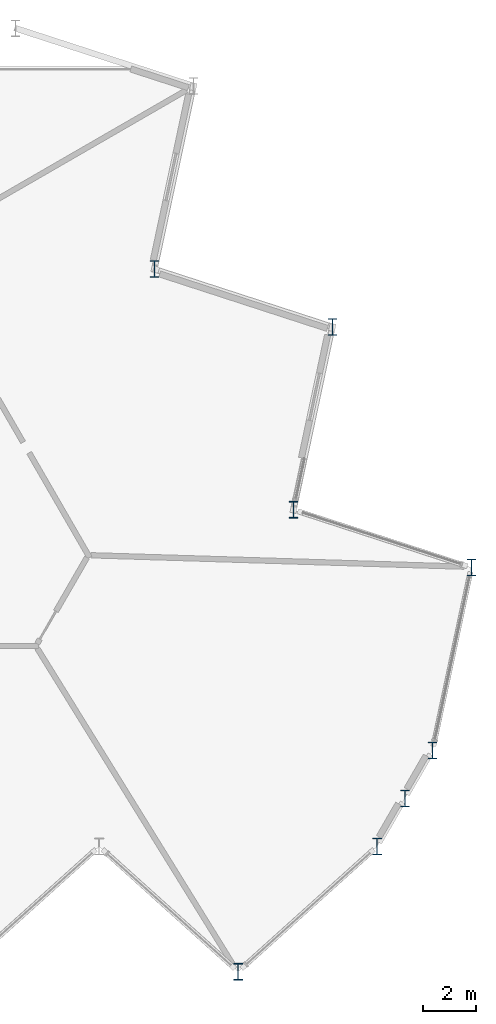
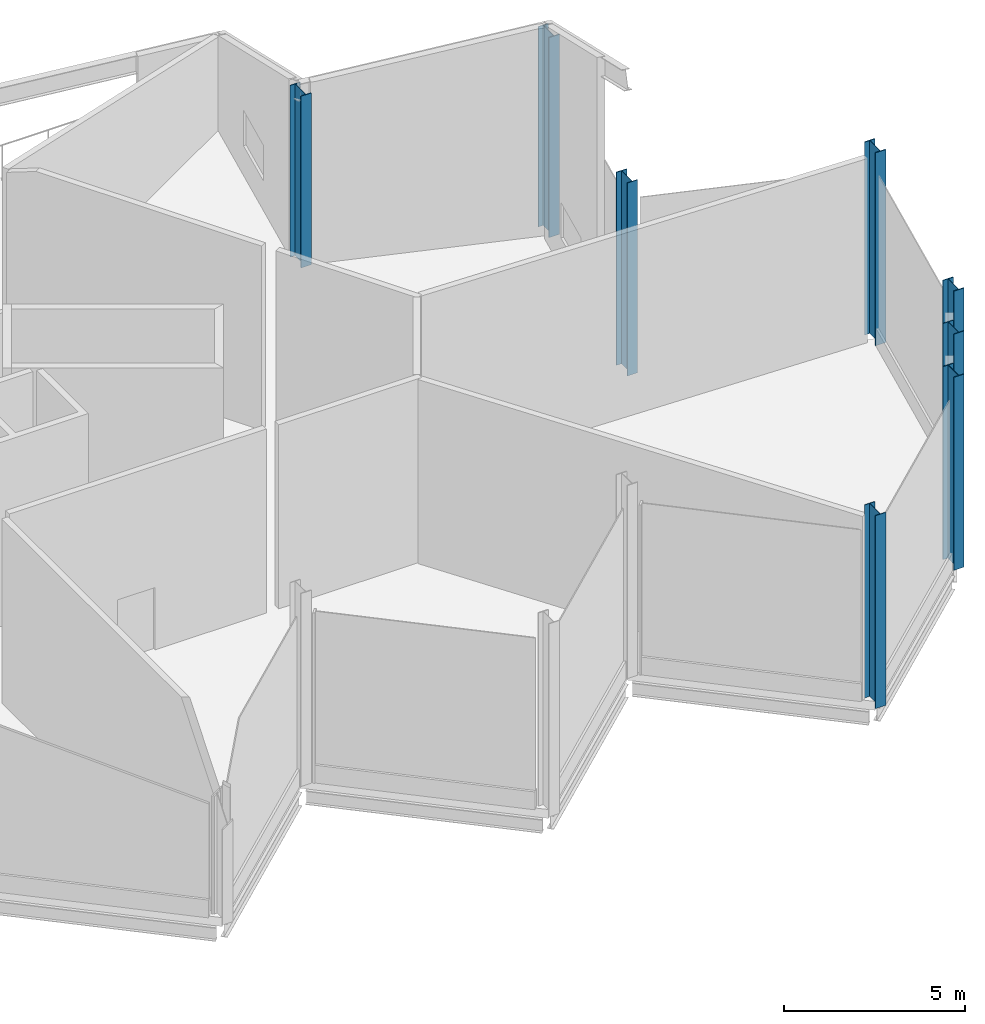
# One storey, part 2 of 10: 8 columns.
"""IFC4 building model written with IfcOpenShell, lengths in metres."""

from ifc_helpers import new_model, si_unit, direction, frame, origin, origin_2d, place, context, subcontext, project, spatial, i_section, extrude, material, material_profile, profile_set, type_object, element, save


model = new_model("IFC4")

# Units and contexts
model_context = context("Model", 3, precision=1e-05, world=origin(), true_north=direction((0.0, 1.0)))
body_context = subcontext(model_context, "Body", "Model", "MODEL_VIEW")
ifc_project = project(units=[si_unit("LENGTHUNIT", "METRE"), si_unit("AREAUNIT", "SQUARE_METRE"), si_unit("VOLUMEUNIT", "CUBIC_METRE"), si_unit("PLANEANGLEUNIT", "RADIAN"), si_unit("MASSUNIT", "GRAM", prefix="KILO")], contexts=[model_context])

# Site, building, storey
site_placement = place(None, origin())
site = spatial("IfcSite", under=ifc_project, at=site_placement, CompositionType="ELEMENT")
building_placement = place(site_placement, origin())
building = spatial("IfcBuilding", under=site, at=building_placement, Name="Cormorant Prow Tower", CompositionType="ELEMENT")
storey_placement = place(building_placement, frame((0.0, 0.0, 441.199951171875)))
storey = spatial("IfcBuildingStorey", under=building, at=storey_placement, Name="L98", CompositionType="ELEMENT", Elevation=441.199951171875)

# Columns
ifc_material = material(Name="Structural steel ASTM A992 Gr 50", Category="steel")
ifc_material_profile = material_profile(ifc_material, i_section(OverallWidth=0.326416015625, OverallDepth=0.621826171875, WebThickness=0.015380859375, FlangeThickness=0.0244140625, at=origin_2d()), Name="W24x131")
ifc_profile_set = profile_set([ifc_material_profile], Name="Structural steel ASTM A992 Gr 50")
column_type = type_object("IfcColumnType", Name="Crown frame column W24x131", PredefinedType="COLUMN", material=ifc_profile_set)
for number, where, z_axis, x_axis, name in (
    (1, (20.800048828125, -22.087890625, 0.0), (0.0, 0.0, 1.0), (1.0, 0.0, 0.0), "Crown frame column at S09 L98"),
    (2, (26.0, -17.40576171875, 0.0), (0.0, 0.0, 1.0), (1.0, 0.0, 0.0), "Crown frame column at ESE00 L98"),
    (3, (27.036865234375, -15.60986328125, 0.0), (0.0, 0.0, 1.0), (1.0, 0.0, 0.0), "Crown frame column at ESE01 L98"),
    (4, (28.07373046875, -13.813720703125, 0.0), (0.0, 0.0, 1.0), (1.0, 0.0, 0.0), "Crown frame column at ENE00 L98"),
    (5, (29.528564453125, -6.969482421875, 0.0), (0.0, 0.0, 1.0), (1.0, 0.0, 0.0), "Crown frame column at ENE01 L98"),
    (6, (22.873779296875, -4.80712890625, 0.0), (0.0, 0.0, 1.0), (1.0, 0.0, 0.0), "Crown frame column at ENE02 L98"),
):
    element("IfcColumn", number, at=place(storey_placement, frame(where, z_axis=z_axis, x_axis=x_axis)), inside=storey, type_object=column_type, Name=name, PredefinedType="COLUMN", context=body_context, shape_type="SweptSolid", body=[
        extrude(i_section(OverallWidth=0.326416015625, OverallDepth=0.621826171875, WebThickness=0.015380859375, FlangeThickness=0.0244140625, at=origin_2d()), origin(), (0.0, 0.0, 1.0), 6.5),
    ])
column_1_placement = place(storey_placement, frame((24.32861328125, 2.037353515625, 0.0), z_axis=(0.0, 0.0, 1.0), x_axis=(1.0, 0.0, 0.0)))
element("IfcColumn", 7, at=column_1_placement, inside=storey, type_object=column_type, Name="Crown frame column at ENE03 L98", PredefinedType="COLUMN", context=body_context, shape_type="SweptSolid", body=[
    extrude(i_section(OverallWidth=0.326416015625, OverallDepth=0.621826171875, WebThickness=0.015380859375, FlangeThickness=0.0244140625, at=origin_2d()), origin(), (0.0, 0.0, 1.0), 6.739990234375),
])
column_2_placement = place(storey_placement, frame((17.673828125, 4.199462890625, 0.0), z_axis=(0.0, 0.0, 1.0), x_axis=(1.0, 0.0, 0.0)))
element("IfcColumn", 8, at=column_2_placement, inside=storey, type_object=column_type, Name="Crown frame column at ENE04 L98", PredefinedType="COLUMN", context=body_context, shape_type="SweptSolid", body=[
    extrude(i_section(OverallWidth=0.326416015625, OverallDepth=0.621826171875, WebThickness=0.015380859375, FlangeThickness=0.0244140625, at=origin_2d()), origin(), (0.0, 0.0, 1.0), 5.78271484375),
])

save(model, "model.ifc")
